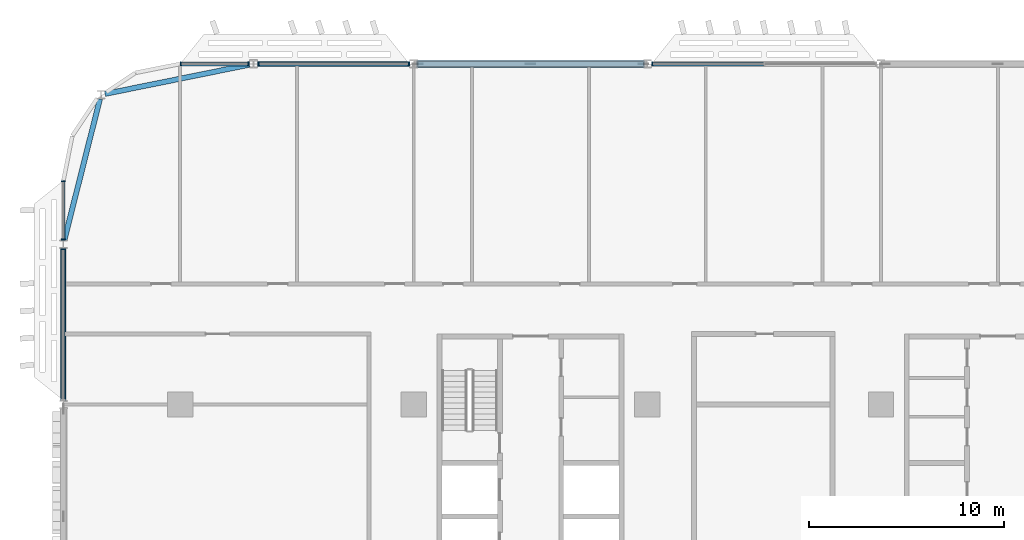
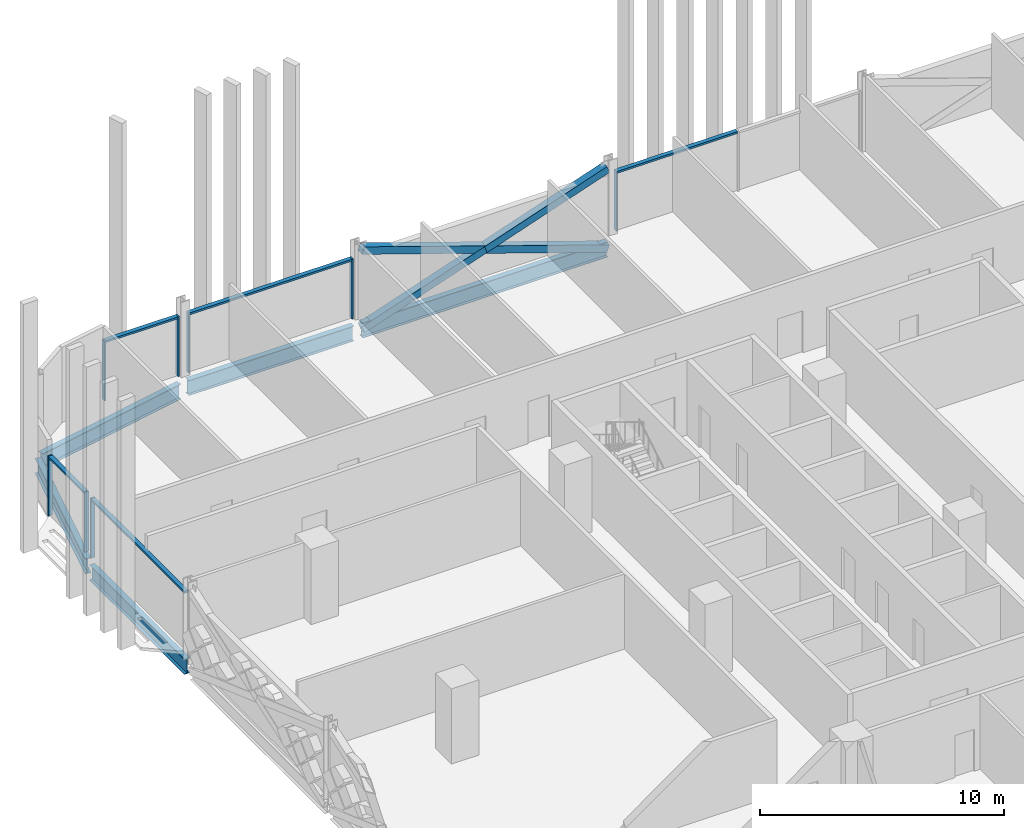
# One storey, part 6 of 32: 16 members, 5 beams, 5 elements without a shape of their own.
"""IFC4 building model written with IfcOpenShell, lengths in metres."""

import ifcopenshell
import ifcopenshell.guid

model = None  # the IFC model being written
_history = None  # IfcOwnerHistory: only IFC2X3 demands one
_inside = {}  # id of a spatial element -> (the spatial element, [elements in it])
_under = {}  # id of a project, library or spatial element -> (it, [spatial elements below it])
_declared = {}  # id of a project -> (the project, [libraries it declares])
_typed = {}  # id of a type object -> (the type object, [elements of that type])
_made_of = {}  # id of a material, layer set ... -> (it, [elements and type objects made of it])


def new_model(schema):
    """Start an empty IFC model of exactly this schema.

    Asked for "IFC4X3", IfcOpenShell would pick the latest addendum, in which some entities
    have other attributes; the version numbers below select the first issue.
    IFC2X3 requires an IfcOwnerHistory on every rooted entity: one is made here for all.
    """
    global model, _history
    if schema == "IFC4X3":
        model = ifcopenshell.file(schema_version=(4, 3, 0, 0))
    else:
        model = ifcopenshell.file(schema=schema)
    _inside.clear()
    _under.clear()
    _declared.clear()
    _typed.clear()
    _made_of.clear()
    _history = None
    if model.schema == "IFC2X3":
        org = make("IfcOrganization", Name="unknown")
        user = make(
            "IfcPersonAndOrganization",
            ThePerson=make("IfcPerson", FamilyName="unknown"),
            TheOrganization=org,
        )
        app = make(
            "IfcApplication",
            ApplicationDeveloper=org,
            Version="unknown",
            ApplicationFullName="unknown",
            ApplicationIdentifier="unknown",
        )
        _history = make(
            "IfcOwnerHistory",
            OwningUser=user,
            OwningApplication=app,
            ChangeAction="ADDED",
            CreationDate=0,
        )
    return model


def make(cls, **values):
    """One entity of the class cls with the attributes given. An attribute that is None is left unset."""
    return model.create_entity(
        cls, **{name: value for name, value in values.items() if value is not None}
    )


def rooted(cls, **values):
    """An entity with a GlobalId (a new one), such as an element, a storey or a relation."""
    return make(cls, GlobalId=ifcopenshell.guid.new(), OwnerHistory=_history, **values)


def si_unit(unit_type, name, prefix=None):
    """IfcSIUnit, for example si_unit("LENGTHUNIT", "METRE", prefix="MILLI")."""
    return make("IfcSIUnit", UnitType=unit_type, Prefix=prefix, Name=name)


def assignment(units):
    """IfcUnitAssignment: the units of a project."""
    return None if units is None else make("IfcUnitAssignment", Units=units)


def point(xyz):
    """IfcCartesianPoint."""
    return None if xyz is None else make("IfcCartesianPoint", Coordinates=xyz)


def direction(xyz):
    """IfcDirection."""
    return None if xyz is None else make("IfcDirection", DirectionRatios=xyz)


def frame(location, z_axis=None, x_axis=None):
    """IfcAxis2Placement3D, a coordinate frame: its origin and axes. An axis left out is left unset."""
    return make(
        "IfcAxis2Placement3D",
        Location=point(location),
        Axis=direction(z_axis),
        RefDirection=direction(x_axis),
    )


def frame_2d(location, x_axis=None):
    """IfcAxis2Placement2D, a coordinate frame in the plane: its origin and x axis."""
    return make(
        "IfcAxis2Placement2D", Location=point(location), RefDirection=direction(x_axis)
    )


def origin():
    """The frame at (0, 0, 0) with its axes left unset."""
    return frame((0.0, 0.0, 0.0))


def origin_2d():
    """The frame at (0, 0) in the plane with its x axis left unset."""
    return frame_2d((0.0, 0.0))


def place(relative_to, where):
    """IfcLocalPlacement: puts the frame where relative to a parent placement (None: the world)."""
    return make(
        "IfcLocalPlacement", PlacementRelTo=relative_to, RelativePlacement=where
    )


def context(
    kind, dimensions, precision=None, world=None, true_north=None, identifier=None
):
    """IfcGeometricRepresentationContext, for example the 3D "Model" context."""
    return make(
        "IfcGeometricRepresentationContext",
        ContextIdentifier=identifier,
        ContextType=kind,
        CoordinateSpaceDimension=dimensions,
        Precision=precision,
        WorldCoordinateSystem=world,
        TrueNorth=true_north,
    )


def subcontext(parent, identifier, kind, view, scale=None):
    """IfcGeometricRepresentationSubContext, for example "Body" below "Model"."""
    return make(
        "IfcGeometricRepresentationSubContext",
        ContextIdentifier=identifier,
        ContextType=kind,
        ParentContext=parent,
        TargetScale=scale,
        TargetView=view,
    )


def project(units=None, contexts=None):
    """IfcProject with its units and contexts."""
    return rooted(
        "IfcProject",
        Name="project",
        RepresentationContexts=contexts,
        UnitsInContext=assignment(units),
    )


def spatial(cls, under=None, at=None, **own):
    """A site, building, storey or space (cls), placed at a placement, below another one or the project."""
    s = rooted(cls, ObjectPlacement=at, **own)
    if under is not None:
        _under.setdefault(under.id(), (under, []))[1].append(s)
    return s


def profile(cls, at=None, kind="AREA", **sizes):
    """A parametric profile (cls). Its sizes go by their IFC names, for example OverallWidth=200.0."""
    return make(cls, ProfileType=kind, Position=at, **sizes)


def rectangle(**sizes):
    """IfcRectangleProfileDef."""
    return profile("IfcRectangleProfileDef", **sizes)


def hollow_rectangle(**sizes):
    """IfcRectangleHollowProfileDef."""
    return profile("IfcRectangleHollowProfileDef", **sizes)


def i_section(**sizes):
    """IfcIShapeProfileDef."""
    return profile("IfcIShapeProfileDef", **sizes)


def extrude(swept, where, along, depth):
    """IfcExtrudedAreaSolid: the profile swept, set in the frame where, extruded along a direction by depth."""
    return make(
        "IfcExtrudedAreaSolid",
        SweptArea=swept,
        Position=where,
        ExtrudedDirection=direction(along),
        Depth=depth,
    )


def shape(context_of_items, identifier, shape_type, items):
    """IfcShapeRepresentation: the items that make up one representation, for example the "Body"."""
    return make(
        "IfcShapeRepresentation",
        ContextOfItems=context_of_items,
        RepresentationIdentifier=identifier,
        RepresentationType=shape_type,
        Items=items,
    )


def material(Name=None, Category=None):
    """IfcMaterial."""
    return make("IfcMaterial", Name=Name, Category=Category)


def material_profile(
    of_material, cross_section, Name=None, Category=None, Priority=None
):
    """IfcMaterialProfile: a cross section and its material."""
    return make(
        "IfcMaterialProfile",
        Name=Name,
        Material=of_material,
        Profile=cross_section,
        Priority=Priority,
        Category=Category,
    )


def profile_set(profiles, Name=None, composite=None):
    """IfcMaterialProfileSet."""
    return make(
        "IfcMaterialProfileSet",
        Name=Name,
        MaterialProfiles=profiles,
        CompositeProfile=composite,
    )


def made_of(thing, what):
    """Note that an element or type object is made of a material, layer set ...; save() writes the relation."""
    if what is not None:
        _made_of.setdefault(what.id(), (what, []))[1].append(thing)
    return thing


def type_object(cls, material=None, **own):
    """A type object (cls), such as IfcWallType, which elements share."""
    return made_of(rooted(cls, **own), material)


def element(
    cls,
    number,
    at=None,
    inside=None,
    cuts=None,
    type_object=None,
    material=None,
    context=None,
    identifier="Body",
    shape_type=None,
    held_by="IfcProductDefinitionShape",
    body=None,
    shapes=None,
    **own,
):
    """One element of the class cls, such as IfcWall. Its Tag is "e" and its number.

    at: its placement. inside: the storey or other place that contains it. cuts: it is an
    opening in that element (IfcRelVoidsElement). A single representation is given by context,
    identifier, shape_type and body (its items); several are given by shapes. held_by: the class
    of the entity that holds the representations. save() writes the other relations.
    """
    e = rooted(cls, Tag="e%d" % number, ObjectPlacement=at, **own)
    if body is not None:
        shapes = [shape(context, identifier, shape_type, body)]
    if shapes is not None:
        e.Representation = make(held_by, Representations=shapes)
    if inside is not None:
        _inside.setdefault(inside.id(), (inside, []))[1].append(e)
    if cuts is not None:
        rooted(
            "IfcRelVoidsElement", RelatingBuildingElement=cuts, RelatedOpeningElement=e
        )
    if type_object is not None:
        _typed.setdefault(type_object.id(), (type_object, []))[1].append(e)
    return made_of(e, material)


def aggregate(whole, parts):
    """IfcRelAggregates: a whole, such as a stair, and the parts it consists of."""
    return rooted("IfcRelAggregates", RelatingObject=whole, RelatedObjects=parts)


def save(model, path):
    """Write the relations noted so far, then the file.

    IfcRelAggregates (storeys below a building ...), IfcRelContainedInSpatialStructure (elements
    in a storey), IfcRelDefinesByType, IfcRelAssociatesMaterial and IfcRelDeclares: one each for
    every whole, place, type object, material and project.
    """
    for whole, parts in _under.values():
        aggregate(whole, parts)
    for where, things in _inside.values():
        rooted(
            "IfcRelContainedInSpatialStructure",
            RelatedElements=things,
            RelatingStructure=where,
        )
    for kind, things in _typed.values():
        rooted("IfcRelDefinesByType", RelatedObjects=things, RelatingType=kind)
    for what, things in _made_of.values():
        rooted("IfcRelAssociatesMaterial", RelatedObjects=things, RelatingMaterial=what)
    for by, libraries in _declared.values():
        rooted("IfcRelDeclares", RelatingContext=by, RelatedDefinitions=libraries)
    model.write(path)


model = new_model("IFC4")

# Units and contexts
model_context = context("Model", 3, precision=1e-05, world=origin(), true_north=direction((0.0, 1.0)))
body_context = subcontext(model_context, "Body", "Model", "MODEL_VIEW")
ifc_project = project(units=[si_unit("LENGTHUNIT", "METRE"), si_unit("AREAUNIT", "SQUARE_METRE"), si_unit("VOLUMEUNIT", "CUBIC_METRE"), si_unit("PLANEANGLEUNIT", "RADIAN"), si_unit("MASSUNIT", "GRAM", prefix="KILO")], contexts=[model_context])

# Site, building, storey
site_placement = place(None, origin())
site = spatial("IfcSite", under=ifc_project, at=site_placement, CompositionType="ELEMENT")
building_placement = place(site_placement, origin())
building = spatial("IfcBuilding", under=site, at=building_placement, Name="Mahtab Terrace Research Tower", CompositionType="ELEMENT")
storey_placement = place(building_placement, frame((0.0, 0.0, 138.39990234375)))
storey = spatial("IfcBuildingStorey", under=building, at=storey_placement, Name="L32", CompositionType="ELEMENT", Elevation=138.39990234375)

# Members
ifc_material_1 = material(Name="Steel ASTM A500 Gr C", Category="steel")
ifc_material_profile_1 = material_profile(ifc_material_1, hollow_rectangle(XDim=0.355712890625, YDim=0.355712890625, WallThickness=0.01904296875, at=origin_2d()), Name="HSS14X14X3/4")
ifc_profile_set_1 = profile_set([ifc_material_profile_1], Name="Steel ASTM A500 Gr C")
member_type_1 = type_object("IfcMemberType", Name="HSS 14x14x3/4 brace XB141434", PredefinedType="BRACE", material=ifc_profile_set_1)
member_1_placement = place(storey_placement, frame((-18.205810546875, 29.0, -0.64794921875), z_axis=(-0.946294377485, 0.0, 0.323306280699), x_axis=(0.0, -1.0, 0.0)))
element("IfcMember", 1, at=member_1_placement, inside=storey, type_object=member_type_1, Name="Exoskeleton brace L32 06 a", PredefinedType="BRACE", context=body_context, shape_type="SweptSolid", body=[
    extrude(hollow_rectangle(XDim=0.355712890625, YDim=0.355712890625, WallThickness=0.01904296875, at=origin_2d()), origin(), (0.0, 0.0, 1.0), 12.24609375),
])
for number, where, z_axis, x_axis, name in (
    (2, (-29.794189453125, 29.0, -0.64794921875), (0.946300476713, 0.0, 0.323288428146), (0.0, 1.0, 0.0), "Exoskeleton brace L32 06 b1"),
    (3, (-24.0, 29.0, 1.33154296875), (0.946288278, 0.0, 0.323324132908), (0.0, 1.0, 0.0), "Exoskeleton brace L32 06 b2"),
):
    element("IfcMember", number, at=place(storey_placement, frame(where, z_axis=z_axis, x_axis=x_axis)), inside=storey, type_object=member_type_1, Name=name, PredefinedType="BRACE", context=body_context, shape_type="SweptSolid", body=[
        extrude(hollow_rectangle(XDim=0.355712890625, YDim=0.355712890625, WallThickness=0.01904296875, at=origin_2d()), origin(), (0.0, 0.0, 1.0), 6.123046875),
    ])

# Curtain wall, member
ifc_material_2 = material(Name="Laboratory ribbon curtain wall")
curtain_wall_type = type_object("IfcCurtainWallType", Name="Laboratory ribbon curtain wall", PredefinedType="NOTDEFINED", material=ifc_material_2)
curtain_wall_1_placement = place(storey_placement, origin())
curtain_wall_1 = element("IfcCurtainWall", 4, at=curtain_wall_1_placement, inside=storey, type_object=curtain_wall_type, Name="EN.L32.3.7", PredefinedType="NOTDEFINED")
ifc_material_3 = material(Name="Natural anodised aluminium", Category="aluminium")
ifc_material_profile_2 = material_profile(ifc_material_3, rectangle(XDim=0.199951171875, YDim=0.06494140625, at=origin_2d()), Name="MULLION 65x200")
ifc_profile_set_2 = profile_set([ifc_material_profile_2], Name="Natural anodised aluminium")
member_type_2 = type_object("IfcMemberType", Name="Laboratory ribbon curtain wall mullion", PredefinedType="MULLION", material=ifc_profile_set_2)
member_2_placement = place(storey_placement, frame((-17.74951171875, 29.0, 0.0), z_axis=(0.0, 0.0, 1.0), x_axis=(0.0, -1.0, 0.0)))
member_2 = element("IfcMember", 5, at=member_2_placement, type_object=member_type_2, Name="CWL-4 mullion 3", PredefinedType="MULLION", context=body_context, shape_type="SweptSolid", body=[
    extrude(rectangle(XDim=0.199951171875, YDim=0.06494140625, at=origin_2d()), origin(), (0.0, 0.0, 1.0), 3.003173828125),
])

# Curtain wall, members
curtain_wall_2_placement = place(storey_placement, origin())
curtain_wall_2 = element("IfcCurtainWall", 6, at=curtain_wall_2_placement, inside=storey, type_object=curtain_wall_type, Name="EN.L32.3.9", PredefinedType="NOTDEFINED")
member_3_placement = place(storey_placement, frame((-30.25048828125, 29.0, 0.0), z_axis=(0.0, 0.0, 1.0), x_axis=(0.0, -1.0, 0.0)))
member_3 = element("IfcMember", 7, at=member_3_placement, type_object=member_type_2, Name="CWL-4 mullion 1", PredefinedType="MULLION", context=body_context, shape_type="SweptSolid", body=[
    extrude(rectangle(XDim=0.199951171875, YDim=0.06494140625, at=origin_2d()), origin(), (0.0, 0.0, 1.0), 3.003173828125),
])
member_4_placement = place(storey_placement, frame((-37.98046875, 29.0, 0.0), z_axis=(0.0, 0.0, 1.0), x_axis=(0.0, -1.0, 0.0)))
member_4 = element("IfcMember", 8, at=member_4_placement, type_object=member_type_2, Name="CWL-4 mullion 2", PredefinedType="MULLION", context=body_context, shape_type="SweptSolid", body=[
    extrude(rectangle(XDim=0.199951171875, YDim=0.06494140625, at=origin_2d()), origin(), (0.0, 0.0, 1.0), 3.003173828125),
])

curtain_wall_3_placement = place(storey_placement, origin())
curtain_wall_3 = element("IfcCurtainWall", 9, at=curtain_wall_3_placement, inside=storey, type_object=curtain_wall_type, Name="EN.L32.3.10", PredefinedType="NOTDEFINED")
member_5_placement = place(storey_placement, frame((-38.4814453125, 29.0, 0.0), z_axis=(0.0, 0.0, 1.0), x_axis=(0.0, -1.0, 0.0)))
member_5 = element("IfcMember", 10, at=member_5_placement, type_object=member_type_2, Name="CWL-4 mullion 1", PredefinedType="MULLION", context=body_context, shape_type="SweptSolid", body=[
    extrude(rectangle(XDim=0.199951171875, YDim=0.06494140625, at=origin_2d()), origin(), (0.0, 0.0, 1.0), 3.003173828125),
])
member_6_placement = place(storey_placement, frame((-41.967529296875, 29.0, 0.0), z_axis=(0.0, 0.0, 1.0), x_axis=(0.0, -1.0, 0.0)))
member_6 = element("IfcMember", 11, at=member_6_placement, type_object=member_type_2, Name="CWL-4 mullion 2", PredefinedType="MULLION", context=body_context, shape_type="SweptSolid", body=[
    extrude(rectangle(XDim=0.199951171875, YDim=0.06494140625, at=origin_2d()), origin(), (0.0, 0.0, 1.0), 3.003173828125),
])

curtain_wall_4_placement = place(storey_placement, origin())
curtain_wall_4 = element("IfcCurtainWall", 12, at=curtain_wall_4_placement, inside=storey, type_object=curtain_wall_type, Name="EN.L32.8.15", PredefinedType="NOTDEFINED")
member_7_placement = place(storey_placement, frame((-48.0, 22.967529296875, 0.0), z_axis=(0.0, 0.0, 1.0), x_axis=(1.0, 0.0, 0.0)))
member_7 = element("IfcMember", 13, at=member_7_placement, type_object=member_type_2, Name="CWL-4 mullion 1", PredefinedType="MULLION", context=body_context, shape_type="SweptSolid", body=[
    extrude(rectangle(XDim=0.199951171875, YDim=0.06494140625, at=origin_2d()), origin(), (0.0, 0.0, 1.0), 3.003173828125),
])
member_8_placement = place(storey_placement, frame((-48.0, 19.9814453125, 0.0), z_axis=(0.0, 0.0, 1.0), x_axis=(1.0, 0.0, 0.0)))
member_8 = element("IfcMember", 14, at=member_8_placement, type_object=member_type_2, Name="CWL-4 mullion 2", PredefinedType="MULLION", context=body_context, shape_type="SweptSolid", body=[
    extrude(rectangle(XDim=0.199951171875, YDim=0.06494140625, at=origin_2d()), origin(), (0.0, 0.0, 1.0), 3.003173828125),
])

# Curtain wall, member
curtain_wall_5_placement = place(storey_placement, origin())
curtain_wall_5 = element("IfcCurtainWall", 15, at=curtain_wall_5_placement, inside=storey, type_object=curtain_wall_type, Name="EN.L32.8.16", PredefinedType="NOTDEFINED")
member_9_placement = place(storey_placement, frame((-48.0, 19.48046875, 0.0), z_axis=(0.0, 0.0, 1.0), x_axis=(1.0, 0.0, 0.0)))
member_9 = element("IfcMember", 16, at=member_9_placement, type_object=member_type_2, Name="CWL-4 mullion 1", PredefinedType="MULLION", context=body_context, shape_type="SweptSolid", body=[
    extrude(rectangle(XDim=0.199951171875, YDim=0.06494140625, at=origin_2d()), origin(), (0.0, 0.0, 1.0), 3.003173828125),
])

# Member
ifc_material_profile_3 = material_profile(ifc_material_3, rectangle(XDim=0.199951171875, YDim=0.10009765625, at=origin_2d()), Name="TRANSOM 100x200")
ifc_profile_set_3 = profile_set([ifc_material_profile_3], Name="Natural anodised aluminium")
member_type_3 = type_object("IfcMemberType", Name="Laboratory ribbon curtain wall transom", PredefinedType="USERDEFINED", material=ifc_profile_set_3)
member_10_placement = place(storey_placement, frame((-12.032470703125, 29.0, 2.953125), z_axis=(-1.0, 0.0, 0.0), x_axis=(0.0, -1.0, 0.0)))
member_10 = element("IfcMember", 17, at=member_10_placement, type_object=member_type_3, Name="CWL-4 transom 2", ObjectType="TRANSOM", PredefinedType="USERDEFINED", context=body_context, shape_type="SweptSolid", body=[
    extrude(rectangle(XDim=0.199951171875, YDim=0.10009765625, at=origin_2d()), origin(), (0.0, 0.0, 1.0), 5.6845703125),
])

aggregate(curtain_wall_1, [member_2, member_10])

member_11_placement = place(storey_placement, frame((-30.282958984375, 29.0, 2.953125), z_axis=(-1.0, 0.0, 0.0), x_axis=(0.0, -1.0, 0.0)))
member_11 = element("IfcMember", 18, at=member_11_placement, type_object=member_type_3, Name="CWL-4 transom 1", ObjectType="TRANSOM", PredefinedType="USERDEFINED", context=body_context, shape_type="SweptSolid", body=[
    extrude(rectangle(XDim=0.199951171875, YDim=0.10009765625, at=origin_2d()), origin(), (0.0, 0.0, 1.0), 7.6650390625),
])

aggregate(curtain_wall_2, [member_3, member_4, member_11])

member_12_placement = place(storey_placement, frame((-38.513916015625, 29.0, 2.953125), z_axis=(-1.0, 0.0, 0.0), x_axis=(0.0, -1.0, 0.0)))
member_12 = element("IfcMember", 19, at=member_12_placement, type_object=member_type_3, Name="CWL-4 transom 1", ObjectType="TRANSOM", PredefinedType="USERDEFINED", context=body_context, shape_type="SweptSolid", body=[
    extrude(rectangle(XDim=0.199951171875, YDim=0.10009765625, at=origin_2d()), origin(), (0.0, 0.0, 1.0), 3.421142578125),
])

aggregate(curtain_wall_3, [member_5, member_6, member_12])

member_13_placement = place(storey_placement, frame((-48.0, 22.93505859375, 2.953125), z_axis=(0.0, -1.0, 0.0), x_axis=(1.0, 0.0, 0.0)))
member_13 = element("IfcMember", 20, at=member_13_placement, type_object=member_type_3, Name="CWL-4 transom 1", ObjectType="TRANSOM", PredefinedType="USERDEFINED", context=body_context, shape_type="SweptSolid", body=[
    extrude(rectangle(XDim=0.199951171875, YDim=0.10009765625, at=origin_2d()), origin(), (0.0, 0.0, 1.0), 2.921142578125),
])

aggregate(curtain_wall_4, [member_7, member_8, member_13])

member_14_placement = place(storey_placement, frame((-48.0, 19.447998046875, 2.953125), z_axis=(0.0, -1.0, 0.0), x_axis=(1.0, 0.0, 0.0)))
member_14 = element("IfcMember", 21, at=member_14_placement, type_object=member_type_3, Name="CWL-4 transom 1", ObjectType="TRANSOM", PredefinedType="USERDEFINED", context=body_context, shape_type="SweptSolid", body=[
    extrude(rectangle(XDim=0.199951171875, YDim=0.10009765625, at=origin_2d()), origin(), (0.0, 0.0, 1.0), 7.6650390625),
])

aggregate(curtain_wall_5, [member_9, member_14])

# Beams
ifc_material_4 = material(Name="Steel ASTM A992 Gr 50", Category="steel")
ifc_material_profile_4 = material_profile(ifc_material_4, i_section(OverallWidth=0.2666015625, OverallDepth=0.7568359375, WebThickness=0.013916015625, FlangeThickness=0.019287109375, at=origin_2d()), Name="W30X108")
ifc_profile_set_4 = profile_set([ifc_material_profile_4], Name="Steel ASTM A992 Gr 50")
beam_type = type_object("IfcBeamType", Name="W30x108 beam BS30108", PredefinedType="BEAM", material=ifc_profile_set_4)
beam_1_placement = place(storey_placement, frame((-18.205810546875, 29.0, -0.71826171875), z_axis=(-1.0, 0.0, 0.0), x_axis=(0.0, -1.0, 0.0)))
element("IfcBeam", 22, at=beam_1_placement, inside=storey, type_object=beam_type, Name="Spandrel beam L32 06", PredefinedType="BEAM", context=body_context, shape_type="SweptSolid", body=[
    extrude(i_section(OverallWidth=0.2666015625, OverallDepth=0.7568359375, WebThickness=0.013916015625, FlangeThickness=0.019287109375, at=origin_2d()), origin(), (0.0, 0.0, 1.0), 11.58837890625),
])
beam_2_placement = place(storey_placement, frame((-30.205810546875, 29.0, -0.71826171875), z_axis=(-1.0, 0.0, 0.0), x_axis=(0.0, -1.0, 0.0)))
element("IfcBeam", 23, at=beam_2_placement, inside=storey, type_object=beam_type, Name="Spandrel beam L32 07", PredefinedType="BEAM", context=body_context, shape_type="SweptSolid", body=[
    extrude(i_section(OverallWidth=0.2666015625, OverallDepth=0.7568359375, WebThickness=0.013916015625, FlangeThickness=0.019287109375, at=origin_2d()), origin(), (0.0, 0.0, 1.0), 7.8193359375),
])
beam_3_placement = place(storey_placement, frame((-38.436767578125, 28.95849609375, -0.71826171875), z_axis=(-0.980144108674, -0.198286475161, 0.0), x_axis=(0.198286475161, -0.980144108674, 0.0)))
element("IfcBeam", 24, at=beam_3_placement, inside=storey, type_object=beam_type, Name="Spandrel beam L32 08", PredefinedType="BEAM", context=body_context, shape_type="SweptSolid", body=[
    extrude(i_section(OverallWidth=0.2666015625, OverallDepth=0.7568359375, WebThickness=0.013916015625, FlangeThickness=0.019287109375, at=origin_2d()), origin(), (0.0, 0.0, 1.0), 7.56982421875),
])
beam_4_placement = place(storey_placement, frame((-46.11669921875, 27.19873046875, -0.71826171875), z_axis=(-0.244547874366, -0.969637219347, 0.0), x_axis=(0.969637219347, -0.244547874366, 0.0)))
element("IfcBeam", 25, at=beam_4_placement, inside=storey, type_object=beam_type, Name="Spandrel beam L32 09", PredefinedType="BEAM", context=body_context, shape_type="SweptSolid", body=[
    extrude(i_section(OverallWidth=0.2666015625, OverallDepth=0.7568359375, WebThickness=0.013916015625, FlangeThickness=0.019287109375, at=origin_2d()), origin(), (0.0, 0.0, 1.0), 7.4775390625),
])
beam_5_placement = place(storey_placement, frame((-48.0, 19.513916015625, -0.71826171875), z_axis=(0.0, -1.0, 0.0), x_axis=(1.0, 0.0, 0.0)))
element("IfcBeam", 26, at=beam_5_placement, inside=storey, type_object=beam_type, Name="Spandrel beam L32 10", PredefinedType="BEAM", context=body_context, shape_type="SweptSolid", body=[
    extrude(i_section(OverallWidth=0.2666015625, OverallDepth=0.7568359375, WebThickness=0.013916015625, FlangeThickness=0.019287109375, at=origin_2d()), origin(), (0.0, 0.0, 1.0), 7.796875),
])

save(model, "model.ifc")
